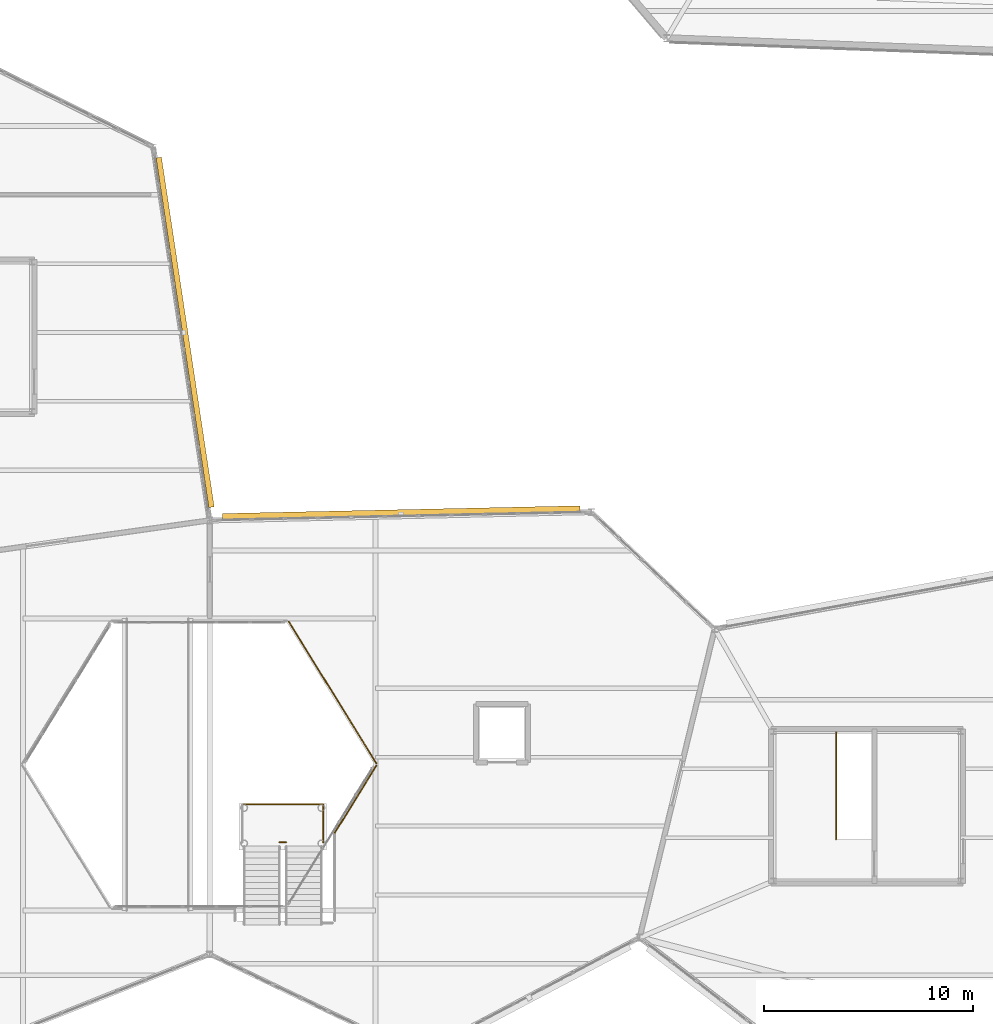
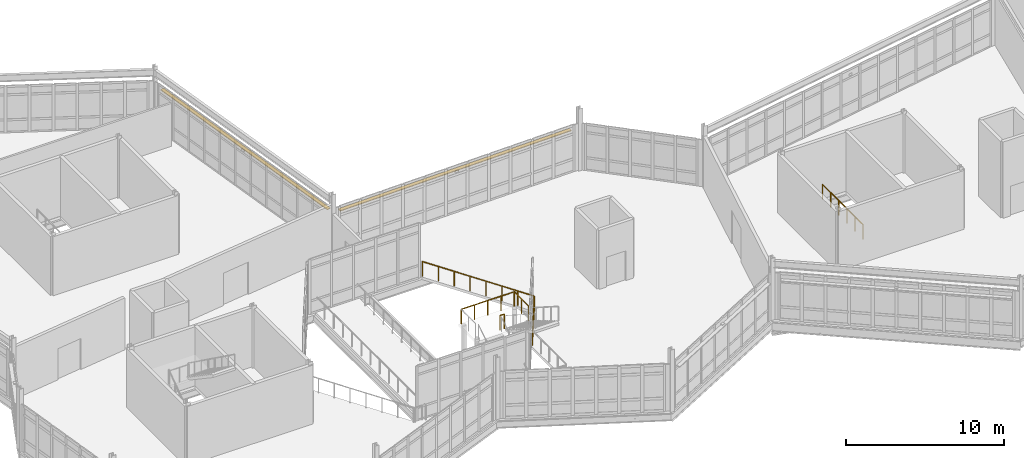
# One storey, part 73 of 76: 6 railings, 2 shading devices.
"""IFC4 building model written with IfcOpenShell, lengths in metres."""

from ifc_helpers import new_model, si_unit, direction, frame, origin, origin_2d, place, context, subcontext, project, spatial, rectangle, circle, extrude, material, layer, layer_set, type_object, element, save


model = new_model("IFC4")

# Units and contexts
model_context = context("Model", 3, precision=1e-05, world=origin(), true_north=direction((0.0, 1.0)))
body_context = subcontext(model_context, "Body", "Model", "MODEL_VIEW")
ifc_project = project(units=[si_unit("LENGTHUNIT", "METRE"), si_unit("AREAUNIT", "SQUARE_METRE"), si_unit("VOLUMEUNIT", "CUBIC_METRE"), si_unit("PLANEANGLEUNIT", "RADIAN"), si_unit("MASSUNIT", "GRAM", prefix="KILO")], contexts=[model_context])

# Site, building, storey
site_placement = place(None, origin())
site = spatial("IfcSite", under=ifc_project, at=site_placement, CompositionType="ELEMENT")
building_placement = place(site_placement, origin())
building = spatial("IfcBuilding", under=site, at=building_placement, Name="Tameran Prism Museum", CompositionType="ELEMENT")
storey_placement = place(building_placement, frame((0.0, 0.0, 15.0)))
storey = spatial("IfcBuildingStorey", under=building, at=storey_placement, Name="L03", CompositionType="ELEMENT", Elevation=15.0)

# Railings
ifc_material_1 = material(Name="Laminated Glass and Stainless Steel 316", Category="steel")
ifc_layer_1 = layer(ifc_material_1, 0.06494140625)
ifc_layer_set_1 = layer_set([ifc_layer_1])
railing_type_1 = type_object("IfcRailingType", Name="RL-BAL-1150", PredefinedType="BALUSTRADE", material=ifc_layer_set_1)
railing_1_placement = place(storey_placement, frame((80.840087890625, 32.77001953125, 2.39990234375)))
element("IfcRailing", 1, at=railing_1_placement, inside=storey, type_object=railing_type_1, Name="Atrium Landing Slot Guard BL-135", PredefinedType="BALUSTRADE", context=body_context, shape_type="SweptSolid", body=[
    extrude(circle(Radius=0.02392578125, at=origin_2d()), frame((0.0, 0.0, 1.1259765625), z_axis=(1.0, 0.0, 0.0), x_axis=(0.0, 1.0, 0.0)), (0.0, 0.0, 1.0), 0.31982421875),
    extrude(circle(Radius=0.02099609375, at=origin_2d()), origin(), (0.0, 0.0, 1.0), 1.101806640625),
    extrude(circle(Radius=0.02099609375, at=origin_2d()), frame((0.31982421875, 0.0, 0.0)), (0.0, 0.0, 1.0), 1.101806640625),
])
railing_2_placement = place(storey_placement, frame((79.06005859375, 34.590087890625, 2.39990234375)))
element("IfcRailing", 2, at=railing_2_placement, inside=storey, type_object=railing_type_1, Name="Atrium Landing Perimeter Guard BL-137", PredefinedType="BALUSTRADE", context=body_context, shape_type="SweptSolid", body=[
    extrude(circle(Radius=0.02392578125, at=origin_2d()), frame((0.0, 0.0, 1.1259765625), z_axis=(1.0, 0.0, 0.0), x_axis=(0.0, 1.0, 0.0)), (0.0, 0.0, 1.0), 3.8798828125),
    extrude(circle(Radius=0.02099609375, at=origin_2d()), origin(), (0.0, 0.0, 1.0), 1.101806640625),
    extrude(circle(Radius=0.02099609375, at=origin_2d()), frame((0.969970703125, 0.0, 0.0)), (0.0, 0.0, 1.0), 1.101806640625),
    extrude(circle(Radius=0.02099609375, at=origin_2d()), frame((1.93994140625, 0.0, 0.0)), (0.0, 0.0, 1.0), 1.101806640625),
    extrude(circle(Radius=0.02099609375, at=origin_2d()), frame((2.909912109375, 0.0, 0.0)), (0.0, 0.0, 1.0), 1.101806640625),
    extrude(circle(Radius=0.02099609375, at=origin_2d()), frame((3.8798828125, 0.0, 0.0)), (0.0, 0.0, 1.0), 1.101806640625),
])
railing_3_placement = place(storey_placement, frame((82.93994140625, 34.590087890625, 2.39990234375)))
element("IfcRailing", 3, at=railing_3_placement, inside=storey, type_object=railing_type_1, Name="Atrium Landing Perimeter Guard BL-138", PredefinedType="BALUSTRADE", context=body_context, shape_type="SweptSolid", body=[
    extrude(circle(Radius=0.02392578125, at=origin_2d()), frame((0.0, 0.0, 1.1259765625), z_axis=(0.0, -1.0, 0.0), x_axis=(1.0, 0.0, 0.0)), (0.0, 0.0, 1.0), 1.820068359375),
    extrude(circle(Radius=0.02099609375, at=origin_2d()), origin(), (0.0, 0.0, 1.0), 1.101806640625),
    extrude(circle(Radius=0.02099609375, at=origin_2d()), frame((0.0, -0.91015625, 0.0)), (0.0, 0.0, 1.0), 1.101806640625),
    extrude(circle(Radius=0.02099609375, at=origin_2d()), frame((0.0, -1.820068359375, 0.0)), (0.0, 0.0, 1.0), 1.101806640625),
])
railing_4_placement = place(storey_placement, frame((81.284912109375, 43.35302734375, 0.0)))
element("IfcRailing", 4, at=railing_4_placement, inside=storey, type_object=railing_type_1, Name="Atrium Void Balustrade BL-A025", PredefinedType="BALUSTRADE", context=body_context, shape_type="SweptSolid", body=[
    extrude(circle(Radius=0.02392578125, at=origin_2d()), frame((0.0, 0.0, 1.1259765625), z_axis=(0.525507837885, -0.85078875893, 0.0), x_axis=(0.85078875893, 0.525507837885, 0.0)), (0.0, 0.0, 1.0), 7.99267578125),
    extrude(circle(Radius=0.02099609375, at=origin_2d()), origin(), (0.0, 0.0, 1.0), 1.101806640625),
    extrude(circle(Radius=0.02099609375, at=origin_2d()), frame((0.60009765625, -0.971435546875, 0.0)), (0.0, 0.0, 1.0), 1.101806640625),
    extrude(circle(Radius=0.02099609375, at=origin_2d()), frame((1.199951171875, -1.94287109375, 0.0)), (0.0, 0.0, 1.0), 1.101806640625),
    extrude(circle(Radius=0.02099609375, at=origin_2d()), frame((1.800048828125, -2.914306640625, 0.0)), (0.0, 0.0, 1.0), 1.101806640625),
    extrude(circle(Radius=0.02099609375, at=origin_2d()), frame((2.400146484375, -3.8857421875, 0.0)), (0.0, 0.0, 1.0), 1.101806640625),
    extrude(circle(Radius=0.02099609375, at=origin_2d()), frame((3.000244140625, -4.857177734375, 0.0)), (0.0, 0.0, 1.0), 1.101806640625),
    extrude(circle(Radius=0.02099609375, at=origin_2d()), frame((3.60009765625, -5.82861328125, 0.0)), (0.0, 0.0, 1.0), 1.101806640625),
    extrude(circle(Radius=0.02099609375, at=origin_2d()), frame((4.2001953125, -6.800048828125, 0.0)), (0.0, 0.0, 1.0), 1.101806640625),
])
railing_5_placement = place(storey_placement, frame((85.485107421875, 36.447021484375, 0.0)))
element("IfcRailing", 5, at=railing_5_placement, inside=storey, type_object=railing_type_1, Name="Atrium Void Balustrade BL-A026", PredefinedType="BALUSTRADE", context=body_context, shape_type="SweptSolid", body=[
    extrude(circle(Radius=0.02392578125, at=origin_2d()), frame((0.0, 0.0, 1.1259765625), z_axis=(-0.525593339274, -0.850735941236, 0.0), x_axis=(0.850735941236, -0.525593339274, 0.0)), (0.0, 0.0, 1.0), 3.77685546875),
    extrude(circle(Radius=0.02099609375, at=origin_2d()), origin(), (0.0, 0.0, 1.0), 1.101806640625),
    extrude(circle(Radius=0.02099609375, at=origin_2d()), frame((-0.496337890625, -0.80322265625, 0.0)), (0.0, 0.0, 1.0), 1.101806640625),
    extrude(circle(Radius=0.02099609375, at=origin_2d()), frame((-0.99267578125, -1.6064453125, 0.0)), (0.0, 0.0, 1.0), 1.101806640625),
    extrude(circle(Radius=0.02099609375, at=origin_2d()), frame((-1.48876953125, -2.409912109375, 0.0)), (0.0, 0.0, 1.0), 1.101806640625),
    extrude(circle(Radius=0.02099609375, at=origin_2d()), frame((-1.985107421875, -3.213134765625, 0.0)), (0.0, 0.0, 1.0), 1.101806640625),
])
ifc_material_2 = material(Name="Marine Stainless Steel 316", Category="steel")
ifc_layer_2 = layer(ifc_material_2, 0.054931640625)
ifc_layer_set_2 = layer_set([ifc_layer_2])
railing_type_2 = type_object("IfcRailingType", Name="RL-GR-1120", PredefinedType="GUARDRAIL", material=ifc_layer_set_2)
railing_6_placement = place(storey_placement, frame((107.510009765625, 32.919921875, 0.0)))
element("IfcRailing", 6, at=railing_6_placement, inside=storey, type_object=railing_type_2, Name="Stair Well Slot Guard GR-S136", PredefinedType="GUARDRAIL", context=body_context, shape_type="SweptSolid", body=[
    extrude(circle(Radius=0.02392578125, at=origin_2d()), frame((0.0, 0.0, 1.1259765625), z_axis=(0.0, 1.0, 0.0), x_axis=(-1.0, 0.0, 0.0)), (0.0, 0.0, 1.0), 5.130126953125),
    extrude(circle(Radius=0.02099609375, at=origin_2d()), origin(), (0.0, 0.0, 1.0), 1.101806640625),
    extrude(circle(Radius=0.02099609375, at=origin_2d()), frame((0.0, 1.026123046875, 0.0)), (0.0, 0.0, 1.0), 1.101806640625),
    extrude(circle(Radius=0.02099609375, at=origin_2d()), frame((0.0, 2.052001953125, 0.0)), (0.0, 0.0, 1.0), 1.101806640625),
    extrude(circle(Radius=0.02099609375, at=origin_2d()), frame((0.0, 3.078125, 0.0)), (0.0, 0.0, 1.0), 1.101806640625),
    extrude(circle(Radius=0.02099609375, at=origin_2d()), frame((0.0, 4.10400390625, 0.0)), (0.0, 0.0, 1.0), 1.101806640625),
    extrude(circle(Radius=0.02099609375, at=origin_2d()), frame((0.0, 5.130126953125, 0.0)), (0.0, 0.0, 1.0), 1.101806640625),
])

# Shading devices
ifc_material_3 = material(Name="Anodised Aluminium Alloy 6063-T6", Category="aluminium")
ifc_layer_3 = layer(ifc_material_3, 0.044921875)
ifc_layer_set_3 = layer_set([ifc_layer_3])
shading_device_type_1 = type_object("IfcShadingDeviceType", Name="SH-JAL-240", PredefinedType="JALOUSIE", material=ifc_layer_set_3)
shading_device_1_placement = place(storey_placement, frame((76.322998046875, 57.20703125, 3.139892578125), z_axis=(0.0, 0.0, 1.0), x_axis=(0.149190193254, -0.988808518489, 0.0)))
element("IfcShadingDevice", 7, at=shading_device_1_placement, inside=storey, type_object=shading_device_type_1, Name="Monsoon Storm Louvre SLV-062", PredefinedType="JALOUSIE", context=body_context, shape_type="SweptSolid", body=[
    extrude(rectangle(XDim=16.943115234375, YDim=0.260009765625, at=origin_2d()), origin(), (0.0, 0.0, 1.0), 0.06005859375),
])
ifc_material_4 = material(Name="Anodised Aluminium Alloy 6063-T6", Category="aluminium")
ifc_layer_4 = layer(ifc_material_4, 0.050048828125)
ifc_layer_set_4 = layer_set([ifc_layer_4])
shading_device_type_2 = type_object("IfcShadingDeviceType", Name="SH-LOUV-300", PredefinedType="SHUTTER", material=ifc_layer_set_4)
shading_device_2_placement = place(storey_placement, frame((86.676025390625, 48.5810546875, 3.139892578125), z_axis=(0.0, 0.0, 1.0), x_axis=(0.99976202708, 0.021814885035, 0.0)))
element("IfcShadingDevice", 8, at=shading_device_2_placement, inside=storey, type_object=shading_device_type_2, Name="Monsoon Storm Louvre SLV-061", PredefinedType="SHUTTER", context=body_context, shape_type="SweptSolid", body=[
    extrude(rectangle(XDim=17.14404296875, YDim=0.260009765625, at=origin_2d()), origin(), (0.0, 0.0, 1.0), 0.06005859375),
])

save(model, "model.ifc")
